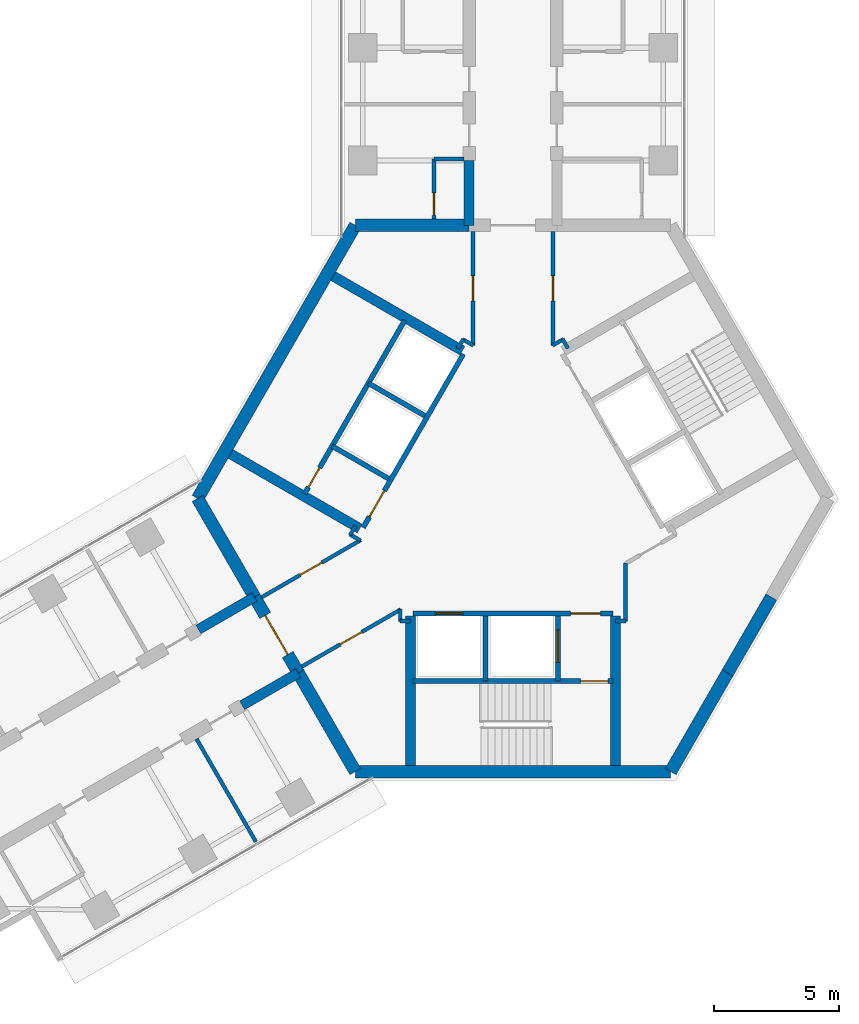
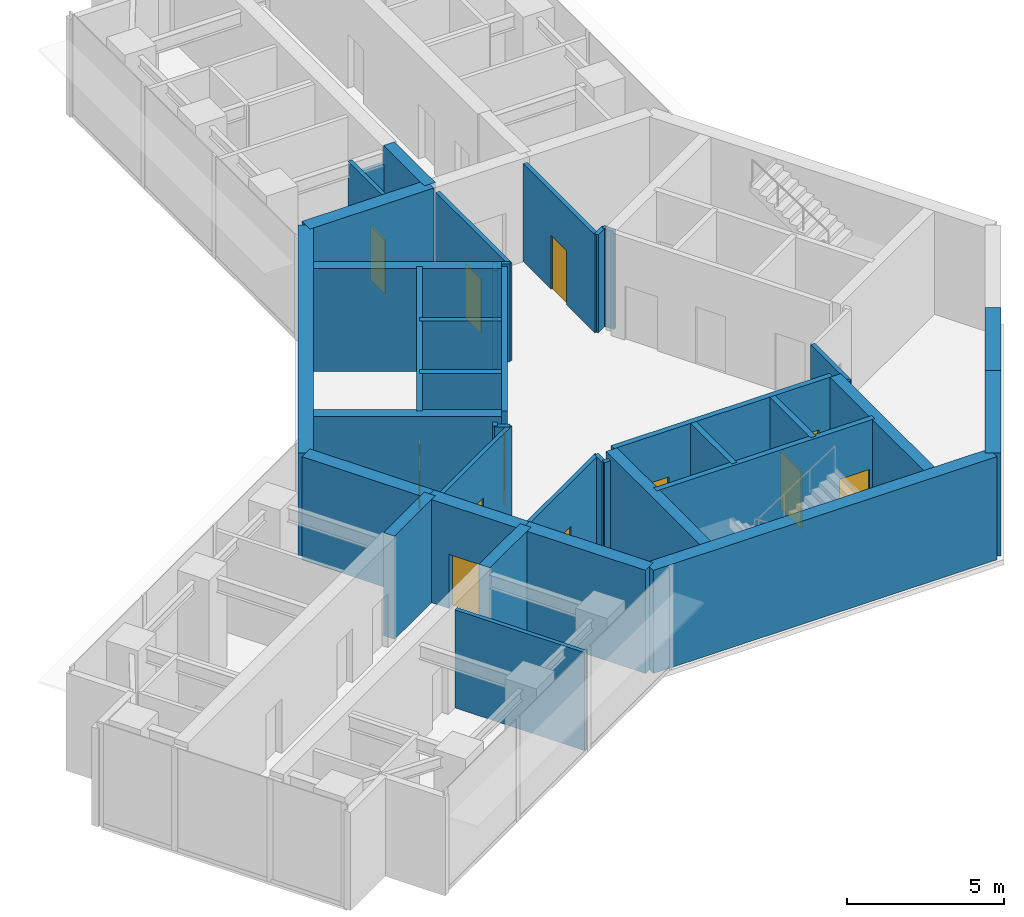
# One storey, part 14 of 17: 40 walls, 12 doors, 12 openings.
"""IFC4 building model written with IfcOpenShell, lengths in metres."""

from ifc_helpers import new_model, si_unit, direction, frame, frame_2d, origin, place, context, subcontext, project, spatial, rectangle, extrude, material, layer, layer_set, type_object, element, fill, save


model = new_model("IFC4")

# Units and contexts
model_context = context("Model", 3, precision=1e-05, world=origin(), true_north=direction((0.0, 1.0)))
body_context = subcontext(model_context, "Body", "Model", "MODEL_VIEW")
ifc_project = project(units=[si_unit("LENGTHUNIT", "METRE"), si_unit("AREAUNIT", "SQUARE_METRE"), si_unit("VOLUMEUNIT", "CUBIC_METRE"), si_unit("PLANEANGLEUNIT", "RADIAN"), si_unit("MASSUNIT", "GRAM", prefix="KILO")], contexts=[model_context])

# Site, building, storey
site_placement = place(None, origin())
site = spatial("IfcSite", under=ifc_project, at=site_placement, CompositionType="ELEMENT")
building_placement = place(site_placement, origin())
building = spatial("IfcBuilding", under=site, at=building_placement, Name="Upepo Twin Towers", CompositionType="ELEMENT")
storey_placement = place(building_placement, frame((0.0, 0.0, 194.5)))
storey = spatial("IfcBuildingStorey", under=building, at=storey_placement, Name="L47", CompositionType="ELEMENT", Elevation=194.5)

# Walls
ifc_material_1 = material(Name="Concrete C60/75", Category="concrete")
ifc_layer_1 = layer(ifc_material_1, 0.39990234375)
ifc_layer_set_1 = layer_set([ifc_layer_1], Name="Concrete C60/75")
wall_type_1 = type_object("IfcWallType", Name="Buttress wall 400 RC", PredefinedType="SHEAR", material=ifc_layer_set_1)
wall_1_placement = place(storey_placement, frame((56.75, -7.091552734375, 0.0), z_axis=(0.0, 0.0, 1.0), x_axis=(0.0, 1.0, 0.0)))
element("IfcWall", 1, at=wall_1_placement, inside=storey, type_object=wall_type_1, Name="T2 wing A buttress wall L", PredefinedType="SHEAR", context=body_context, shape_type="SweptSolid", body=[
    extrude(rectangle(XDim=2.591552734375, YDim=0.39990234375, at=frame_2d((1.2958984375, 0.0))), origin(), (0.0, 0.0, 1.0), 4.0),
])
for number, where, z_axis, x_axis, name in (
    (2, (49.92822265625, -24.9697265625, 0.0), (0.0, 0.0, 1.0), (-0.866031863473, -0.499988811324, 0.0), "T2 wing B buttress wall L"),
    (3, (48.17822265625, -21.938720703125, 0.0), (0.0, 0.0, 1.0), (-0.866072649678, -0.499918158782, 0.0), "T2 wing B buttress wall R"),
):
    element("IfcWall", number, at=place(storey_placement, frame(where, z_axis=z_axis, x_axis=x_axis)), inside=storey, type_object=wall_type_1, Name=name, PredefinedType="SHEAR", context=body_context, shape_type="SweptSolid", body=[
        extrude(rectangle(XDim=2.591796875, YDim=0.39990234375, at=frame_2d((1.2958984375, 0.0))), origin(), (0.0, 0.0, 1.0), 4.0),
    ])
ifc_material_2 = material(Name="Concrete C60/75", Category="concrete")
ifc_layer_2 = layer(ifc_material_2, 0.5)
ifc_layer_set_2 = layer_set([ifc_layer_2], Name="Concrete C60/75")
wall_type_2 = type_object("IfcWallType", Name="Core wall 500 RC", PredefinedType="SHEAR", material=ifc_layer_set_2)
wall_2_placement = place(storey_placement, frame((56.75, -7.091552734375, 0.0), z_axis=(0.0, 0.0, 1.0), x_axis=(-1.0, 0.0, 0.0)))
element("IfcWall", 4, at=wall_2_placement, inside=storey, type_object=wall_type_2, Name="T2 core wall 000 L", PredefinedType="SHEAR", context=body_context, shape_type="SweptSolid", body=[
    extrude(rectangle(XDim=4.5478515625, YDim=0.5, at=frame_2d((2.27392578125, 0.0))), origin(), (0.0, 0.0, 1.0), 4.0),
])
wall_3_placement = place(storey_placement, frame((52.2021484375, -7.091552734375, 0.0), z_axis=(0.0, 0.0, 1.0), x_axis=(-0.500005998175, -0.866021940709, 0.0)))
element("IfcWall", 5, at=wall_3_placement, inside=storey, type_object=wall_type_2, Name="T2 core wall 060", PredefinedType="SHEAR", context=body_context, shape_type="SweptSolid", body=[
    extrude(rectangle(XDim=12.595947265625, YDim=0.5, at=frame_2d((6.2978515625, 0.0))), origin(), (0.0, 0.0, 1.0), 4.0),
])
wall_4_placement = place(storey_placement, frame((45.904052734375, -18.0, 0.0), z_axis=(0.0, 0.0, 1.0), x_axis=(0.500024481964, -0.866011268655, 0.0)))
element("IfcWall", 6, at=wall_4_placement, inside=storey, type_object=wall_type_2, Name="T2 core wall 120 R", PredefinedType="SHEAR", context=body_context, shape_type="SweptSolid", body=[
    extrude(rectangle(XDim=4.548095703125, YDim=0.5, at=frame_2d((2.27392578125, 0.0))), origin(), (0.0, 0.0, 1.0), 4.0),
])

# Wall, opening, door
wall_5_placement = place(storey_placement, frame((48.17822265625, -21.938720703125, 0.0), z_axis=(0.0, 0.0, 1.0), x_axis=(0.500010275428, -0.866019471182, 0.0)))
wall_5 = element("IfcWall", 7, at=wall_5_placement, inside=storey, type_object=wall_type_2, Name="T2 core wall 120", PredefinedType="SHEAR", context=body_context, shape_type="SweptSolid", body=[
    extrude(rectangle(XDim=3.5, YDim=0.5, at=frame_2d((1.75, 0.0))), origin(), (0.0, 0.0, 1.0), 4.0),
])
opening_1_placement = place(wall_5_placement, frame((0.85009765625, 0.0, 0.0)))
opening_1 = element("IfcOpeningElement", 8, at=opening_1_placement, cuts=wall_5, Name="Opening D2", PredefinedType="OPENING", context=body_context, shape_type="SweptSolid", body=[
    extrude(rectangle(XDim=1.800048828125, YDim=2.10009765625, at=frame_2d((0.89990234375, 1.050048828125))), frame((0.0, 0.260009765625, 0.0), z_axis=(0.0, -1.0, 0.0), x_axis=(1.0, 0.0, 0.0)), (0.0, 0.0, 1.0), 0.52001953125),
])
ifc_material_3 = material(Name="Timber doorset", Category="wood")
door_type_1 = type_object("IfcDoorType", Name="Corridor double door 1800 FD60", OperationType="DOUBLE_DOOR_DOUBLE_SWING", PredefinedType="DOOR", material=ifc_material_3)
door_1_placement = place(opening_1_placement, origin())
door_1 = element("IfcDoor", 9, at=door_1_placement, inside=storey, type_object=door_type_1, Name="T2 L47 wing B corridor door", OperationType="DOUBLE_DOOR_DOUBLE_SWING", OverallHeight=2.10009765625, OverallWidth=1.800048828125, PredefinedType="DOOR", context=body_context, shape_type="SweptSolid", body=[
    extrude(rectangle(XDim=1.800048828125, YDim=2.10009765625, at=frame_2d((0.89990234375, 1.050048828125))), frame((0.0, 0.02490234375, 0.0), z_axis=(0.0, -1.0, 0.0), x_axis=(1.0, 0.0, 0.0)), (0.0, 0.0, 1.0), 0.050048828125),
])
fill(opening_1, door_1)

# Walls
wall_6_placement = place(storey_placement, frame((49.92822265625, -24.9697265625, 0.0), z_axis=(0.0, 0.0, 1.0), x_axis=(0.499984222037, -0.866034513004, 0.0)))
element("IfcWall", 10, at=wall_6_placement, inside=storey, type_object=wall_type_2, Name="T2 core wall 120 L", PredefinedType="SHEAR", context=body_context, shape_type="SweptSolid", body=[
    extrude(rectangle(XDim=4.548095703125, YDim=0.5, at=frame_2d((2.27392578125, 0.0))), origin(), (0.0, 0.0, 1.0), 4.0),
])
wall_7_placement = place(storey_placement, frame((52.2021484375, -28.908447265625, 0.0), z_axis=(0.0, 0.0, 1.0), x_axis=(1.0, 0.0, 0.0)))
element("IfcWall", 11, at=wall_7_placement, inside=storey, type_object=wall_type_2, Name="T2 core wall 180", PredefinedType="SHEAR", context=body_context, shape_type="SweptSolid", body=[
    extrude(rectangle(XDim=12.595703125, YDim=0.5, at=frame_2d((6.2978515625, 0.0))), origin(), (0.0, 0.0, 1.0), 4.0),
])
wall_8_placement = place(storey_placement, frame((64.7978515625, -28.908447265625, 0.0), z_axis=(0.0, 0.0, 1.0), x_axis=(0.499984222037, 0.866034513004, 0.0)))
element("IfcWall", 12, at=wall_8_placement, inside=storey, type_object=wall_type_2, Name="T2 core wall 240 R", PredefinedType="SHEAR", context=body_context, shape_type="SweptSolid", body=[
    extrude(rectangle(XDim=4.548095703125, YDim=0.5, at=frame_2d((2.27392578125, 0.0))), origin(), (0.0, 0.0, 1.0), 4.0),
])
wall_9_placement = place(storey_placement, frame((67.07177734375, -24.9697265625, 0.0), z_axis=(0.0, 0.0, 1.0), x_axis=(0.500010275428, 0.866019471182, 0.0)))
element("IfcWall", 13, at=wall_9_placement, inside=storey, type_object=wall_type_2, Name="T2 core wall 240", PredefinedType="SHEAR", context=body_context, shape_type="SweptSolid", body=[
    extrude(rectangle(XDim=3.5, YDim=0.5, at=frame_2d((1.75, 0.0))), origin(), (0.0, 0.0, 1.0), 4.0),
])

# Wall, opening, door
ifc_material_4 = material(Name="Concrete C40/50", Category="concrete")
ifc_layer_3 = layer(ifc_material_4, 0.199951171875)
ifc_layer_set_3 = layer_set([ifc_layer_3], Name="Concrete C40/50")
wall_type_3 = type_object("IfcWallType", Name="Shaft wall 200 RC", PredefinedType="SHEAR", material=ifc_layer_set_3)
wall_10_placement = place(storey_placement, frame((56.516357421875, -12.23583984375, 0.0), z_axis=(0.0, 0.0, 1.0), x_axis=(-0.49999894854, -0.866026010844, 0.0)))
wall_10 = element("IfcWall", 14, at=wall_10_placement, inside=storey, type_object=wall_type_3, Name="T2 core W60 front wall", PredefinedType="SHEAR", context=body_context, shape_type="SweptSolid", body=[
    extrude(rectangle(XDim=8.0, YDim=0.199951171875, at=frame_2d((4.0, 0.0))), origin(), (0.0, 0.0, 1.0), 4.0),
])
opening_2_placement = place(wall_10_placement, frame((6.300048828125, 0.0, 0.0)))
opening_2 = element("IfcOpeningElement", 15, at=opening_2_placement, cuts=wall_10, Name="Opening D4", PredefinedType="OPENING", context=body_context, shape_type="SweptSolid", body=[
    extrude(rectangle(XDim=1.199951171875, YDim=2.10009765625, at=frame_2d((0.60009765625, 1.050048828125))), frame((0.0, 0.10986328125, 0.0), z_axis=(0.0, -1.0, 0.0), x_axis=(1.0, 0.0, 0.0)), (0.0, 0.0, 1.0), 0.219970703125),
])
ifc_material_5 = material(Name="Timber doorset", Category="wood")
door_type_2 = type_object("IfcDoorType", Name="Lobby door 1200 FD60", OperationType="SINGLE_SWING_LEFT", PredefinedType="DOOR", material=ifc_material_5)
door_2_placement = place(opening_2_placement, origin())
door_2 = element("IfcDoor", 16, at=door_2_placement, inside=storey, type_object=door_type_2, Name="T2 L47 W60 lobby door", OperationType="SINGLE_SWING_RIGHT", OverallHeight=2.10009765625, OverallWidth=1.199951171875, PredefinedType="DOOR", context=body_context, shape_type="SweptSolid", body=[
    extrude(rectangle(XDim=1.199951171875, YDim=2.10009765625, at=frame_2d((0.60009765625, 1.050048828125))), frame((0.0, 0.02490234375, 0.0), z_axis=(0.0, -1.0, 0.0), x_axis=(1.0, 0.0, 0.0)), (0.0, 0.0, 1.0), 0.050048828125),
])
fill(opening_2, door_2)

# Walls
for number, where, z_axis, x_axis, name in (
    (17, (54.979736328125, -14.697265625, 0.0), (0.0, 0.0, 1.0), (-0.866062058628, 0.499936506574, 0.0), "T2 core W60 shaft divider"),
    (18, (53.52978515625, -17.208740234375, 0.0), (0.0, 0.0, 1.0), (-0.866062058628, 0.499936506574, 0.0), "T2 core W60 lobby wall"),
):
    element("IfcWall", number, at=place(storey_placement, frame(where, z_axis=z_axis, x_axis=x_axis)), inside=storey, type_object=wall_type_3, Name=name, PredefinedType="SHEAR", context=body_context, shape_type="SweptSolid", body=[
        extrude(rectangle(XDim=2.599853515625, YDim=0.199951171875, at=frame_2d((1.2998046875, 0.0))), origin(), (0.0, 0.0, 1.0), 4.0),
    ])

# Wall, opening, door
wall_11_placement = place(storey_placement, frame((54.177978515625, -10.885986328125, 0.0), z_axis=(0.0, 0.0, 1.0), x_axis=(-0.49999894854, -0.866026010844, 0.0)))
wall_11 = element("IfcWall", 19, at=wall_11_placement, inside=storey, type_object=wall_type_3, Name="T2 core W60 stair wall", PredefinedType="SHEAR", context=body_context, shape_type="SweptSolid", body=[
    extrude(rectangle(XDim=8.0, YDim=0.199951171875, at=frame_2d((4.0, 0.0))), origin(), (0.0, 0.0, 1.0), 4.0),
])
opening_3_placement = place(wall_11_placement, frame((6.800048828125, 0.0, 0.0)))
opening_3 = element("IfcOpeningElement", 20, at=opening_3_placement, cuts=wall_11, Name="Opening D9", PredefinedType="OPENING", context=body_context, shape_type="SweptSolid", body=[
    extrude(rectangle(XDim=0.89990234375, YDim=2.10009765625, at=frame_2d((0.449951171875, 1.050048828125))), frame((0.0, 0.10986328125, 0.0), z_axis=(0.0, -1.0, 0.0), x_axis=(1.0, 0.0, 0.0)), (0.0, 0.0, 1.0), 0.219970703125),
])
ifc_material_6 = material(Name="Timber doorset", Category="wood")
door_type_3 = type_object("IfcDoorType", Name="Riser door 900 FD60", OperationType="SINGLE_SWING_LEFT", PredefinedType="DOOR", material=ifc_material_6)
door_3_placement = place(opening_3_placement, origin())
door_3 = element("IfcDoor", 21, at=door_3_placement, inside=storey, type_object=door_type_3, Name="T2 L47 riser door", OperationType="SINGLE_SWING_RIGHT", OverallHeight=2.10009765625, OverallWidth=0.89990234375, PredefinedType="DOOR", context=body_context, shape_type="SweptSolid", body=[
    extrude(rectangle(XDim=0.89990234375, YDim=2.10009765625, at=frame_2d((0.449951171875, 1.050048828125))), frame((0.0, 0.02490234375, 0.0), z_axis=(0.0, -1.0, 0.0), x_axis=(1.0, 0.0, 0.0)), (0.0, 0.0, 1.0), 0.050048828125),
])
fill(opening_3, door_3)

# Wall, openings, doors
wall_12_placement = place(storey_placement, frame((54.5, -22.60009765625, 0.0), z_axis=(0.0, 0.0, 1.0), x_axis=(1.0, 0.0, 0.0)))
wall_12 = element("IfcWall", 22, at=wall_12_placement, inside=storey, type_object=wall_type_3, Name="T2 core W180 front wall", PredefinedType="SHEAR", context=body_context, shape_type="SweptSolid", body=[
    extrude(rectangle(XDim=8.0, YDim=0.199951171875, at=frame_2d((4.0, 0.0))), origin(), (0.0, 0.0, 1.0), 4.0),
])
opening_4_placement = place(wall_12_placement, frame((6.300048828125, 0.0, 0.0)))
opening_4 = element("IfcOpeningElement", 23, at=opening_4_placement, cuts=wall_12, Name="Opening D4", PredefinedType="OPENING", context=body_context, shape_type="SweptSolid", body=[
    extrude(rectangle(XDim=1.199951171875, YDim=2.10009765625, at=frame_2d((0.60009765625, 1.050048828125))), frame((0.0, 0.10986328125, 0.0), z_axis=(0.0, -1.0, 0.0), x_axis=(1.0, 0.0, 0.0)), (0.0, 0.0, 1.0), 0.219970703125),
])
opening_5_placement = place(wall_12_placement, frame((0.89990234375, 0.0, 0.0)))
opening_5 = element("IfcOpeningElement", 24, at=opening_5_placement, cuts=wall_12, Name="Opening LD1", PredefinedType="OPENING", context=body_context, shape_type="SweptSolid", body=[
    extrude(rectangle(XDim=1.10009765625, YDim=2.199951171875, at=frame_2d((0.550048828125, 1.10009765625))), frame((0.0, 0.10986328125, 0.0), z_axis=(0.0, -1.0, 0.0), x_axis=(1.0, 0.0, 0.0)), (0.0, 0.0, 1.0), 0.219970703125),
])
ifc_material_7 = material(Name="Steel doorset", Category="steel")
door_type_4 = type_object("IfcDoorType", Name="Lift landing door 1100", OperationType="DOUBLE_DOOR_SLIDING", PredefinedType="DOOR", material=ifc_material_7)
door_4_placement = place(opening_5_placement, origin())
door_4 = element("IfcDoor", 25, at=door_4_placement, inside=storey, type_object=door_type_4, Name="T2 L47 lift SV1 landing door", OperationType="DOUBLE_DOOR_SLIDING", OverallHeight=2.199951171875, OverallWidth=1.10009765625, PredefinedType="DOOR", context=body_context, shape_type="SweptSolid", body=[
    extrude(rectangle(XDim=1.10009765625, YDim=2.199951171875, at=frame_2d((0.550048828125, 1.10009765625))), frame((0.0, 0.02490234375, 0.0), z_axis=(0.0, -1.0, 0.0), x_axis=(1.0, 0.0, 0.0)), (0.0, 0.0, 1.0), 0.050048828125),
])
fill(opening_5, door_4)
door_5_placement = place(opening_4_placement, origin())
door_5 = element("IfcDoor", 26, at=door_5_placement, inside=storey, type_object=door_type_2, Name="T2 L47 W180 lobby door", OperationType="SINGLE_SWING_RIGHT", OverallHeight=2.10009765625, OverallWidth=1.199951171875, PredefinedType="DOOR", context=body_context, shape_type="SweptSolid", body=[
    extrude(rectangle(XDim=1.199951171875, YDim=2.10009765625, at=frame_2d((0.60009765625, 1.050048828125))), frame((0.0, 0.02490234375, 0.0), z_axis=(0.0, -1.0, 0.0), x_axis=(1.0, 0.0, 0.0)), (0.0, 0.0, 1.0), 0.050048828125),
])
fill(opening_4, door_5)

# Wall
wall_13_placement = place(storey_placement, frame((57.39990234375, -22.699951171875, 0.0), z_axis=(0.0, 0.0, 1.0), x_axis=(0.0, -1.0, 0.0)))
element("IfcWall", 27, at=wall_13_placement, inside=storey, type_object=wall_type_3, Name="T2 core W180 shaft divider", PredefinedType="SHEAR", context=body_context, shape_type="SweptSolid", body=[
    extrude(rectangle(XDim=2.60009765625, YDim=0.199951171875, at=frame_2d((1.300048828125, 0.0))), origin(), (0.0, 0.0, 1.0), 4.0),
])

# Wall, opening, door
wall_14_placement = place(storey_placement, frame((60.300048828125, -22.699951171875, 0.0), z_axis=(0.0, 0.0, 1.0), x_axis=(0.0, -1.0, 0.0)))
wall_14 = element("IfcWall", 28, at=wall_14_placement, inside=storey, type_object=wall_type_3, Name="T2 core W180 lobby wall", PredefinedType="SHEAR", context=body_context, shape_type="SweptSolid", body=[
    extrude(rectangle(XDim=2.60009765625, YDim=0.199951171875, at=frame_2d((1.300048828125, 0.0))), origin(), (0.0, 0.0, 1.0), 4.0),
])
opening_6_placement = place(wall_14_placement, frame((0.550048828125, 0.0, 0.0)))
opening_6 = element("IfcOpeningElement", 29, at=opening_6_placement, cuts=wall_14, Name="Opening LD2", PredefinedType="OPENING", context=body_context, shape_type="SweptSolid", body=[
    extrude(rectangle(XDim=1.300048828125, YDim=2.199951171875, at=frame_2d((0.64990234375, 1.10009765625))), frame((0.0, 0.10986328125, 0.0), z_axis=(0.0, -1.0, 0.0), x_axis=(1.0, 0.0, 0.0)), (0.0, 0.0, 1.0), 0.219970703125),
])
ifc_material_8 = material(Name="Steel doorset", Category="steel")
door_type_5 = type_object("IfcDoorType", Name="Firefighting lift landing door 1300", OperationType="DOUBLE_DOOR_SLIDING", PredefinedType="DOOR", material=ifc_material_8)
door_6_placement = place(opening_6_placement, origin())
door_6 = element("IfcDoor", 30, at=door_6_placement, inside=storey, type_object=door_type_5, Name="T2 L47 firefighting lift landing door", OperationType="DOUBLE_DOOR_SLIDING", OverallHeight=2.199951171875, OverallWidth=1.300048828125, PredefinedType="DOOR", context=body_context, shape_type="SweptSolid", body=[
    extrude(rectangle(XDim=1.300048828125, YDim=2.199951171875, at=frame_2d((0.64990234375, 1.10009765625))), frame((0.0, 0.02490234375, 0.0), z_axis=(0.0, -1.0, 0.0), x_axis=(1.0, 0.0, 0.0)), (0.0, 0.0, 1.0), 0.050048828125),
])
fill(opening_6, door_6)

wall_15_placement = place(storey_placement, frame((54.5, -25.300048828125, 0.0), z_axis=(0.0, 0.0, 1.0), x_axis=(1.0, 0.0, 0.0)))
wall_15 = element("IfcWall", 31, at=wall_15_placement, inside=storey, type_object=wall_type_3, Name="T2 core W180 stair wall", PredefinedType="SHEAR", context=body_context, shape_type="SweptSolid", body=[
    extrude(rectangle(XDim=8.0, YDim=0.199951171875, at=frame_2d((4.0, 0.0))), origin(), (0.0, 0.0, 1.0), 4.0),
])
opening_7_placement = place(wall_15_placement, frame((6.699951171875, 0.0, 0.0)))
opening_7 = element("IfcOpeningElement", 32, at=opening_7_placement, cuts=wall_15, Name="Opening D3", PredefinedType="OPENING", context=body_context, shape_type="SweptSolid", body=[
    extrude(rectangle(XDim=1.10009765625, YDim=2.10009765625, at=frame_2d((0.550048828125, 1.050048828125))), frame((0.0, 0.10986328125, 0.0), z_axis=(0.0, -1.0, 0.0), x_axis=(1.0, 0.0, 0.0)), (0.0, 0.0, 1.0), 0.219970703125),
])
ifc_material_9 = material(Name="Timber doorset", Category="wood")
door_type_6 = type_object("IfcDoorType", Name="Stair door 1100 FD60", OperationType="SINGLE_SWING_LEFT", PredefinedType="DOOR", material=ifc_material_9)
door_7_placement = place(opening_7_placement, origin())
door_7 = element("IfcDoor", 33, at=door_7_placement, inside=storey, type_object=door_type_6, Name="T2 L47 stair door", OperationType="SINGLE_SWING_RIGHT", OverallHeight=2.10009765625, OverallWidth=1.10009765625, PredefinedType="DOOR", context=body_context, shape_type="SweptSolid", body=[
    extrude(rectangle(XDim=1.10009765625, YDim=2.10009765625, at=frame_2d((0.550048828125, 1.050048828125))), frame((0.0, 0.02490234375, 0.0), z_axis=(0.0, -1.0, 0.0), x_axis=(1.0, 0.0, 0.0)), (0.0, 0.0, 1.0), 0.050048828125),
])
fill(opening_7, door_7)

# Walls
ifc_material_10 = material(Name="Concrete C40/50", Category="concrete")
ifc_layer_4 = layer(ifc_material_10, 0.39990234375)
ifc_layer_set_4 = layer_set([ifc_layer_4], Name="Concrete C40/50")
wall_type_4 = type_object("IfcWallType", Name="Shaft wall 400 RC", PredefinedType="SHEAR", material=ifc_layer_set_4)
wall_16_placement = place(storey_placement, frame((52.379638671875, -19.20068359375, 0.0), z_axis=(0.0, 0.0, 1.0), x_axis=(-0.866012946976, 0.500021575205, 0.0)))
element("IfcWall", 34, at=wall_16_placement, inside=storey, type_object=wall_type_4, Name="T2 core W60 side wall N", PredefinedType="SHEAR", context=body_context, shape_type="SweptSolid", body=[
    extrude(rectangle(XDim=5.958251953125, YDim=0.39990234375, at=frame_2d((2.97900390625, 0.0))), origin(), (0.0, 0.0, 1.0), 4.0),
])
for number, where, z_axis, x_axis, name in (
    (35, (56.479736328125, -12.099365234375, 0.0), (0.0, 0.0, 1.0), (-0.86602319114, 0.500003832394, 0.0), "T2 core W60 side wall S"),
    (36, (62.60009765625, -22.699951171875, 0.0), (0.0, 0.0, 1.0), (0.0, -1.0, 0.0), "T2 core W180 side wall N"),
    (37, (54.39990234375, -22.699951171875, 0.0), (0.0, 0.0, 1.0), (0.0, -1.0, 0.0), "T2 core W180 side wall S"),
):
    element("IfcWall", number, at=place(storey_placement, frame(where, z_axis=z_axis, x_axis=x_axis)), inside=storey, type_object=wall_type_4, Name=name, PredefinedType="SHEAR", context=body_context, shape_type="SweptSolid", body=[
        extrude(rectangle(XDim=5.95849609375, YDim=0.39990234375, at=frame_2d((2.979248046875, 0.0))), origin(), (0.0, 0.0, 1.0), 4.0),
    ])

# Wall, opening, door
ifc_material_11 = material(Name="Gypsum board on steel studs", Category="steel")
ifc_layer_5 = layer(ifc_material_11, 0.14990234375)
ifc_layer_set_5 = layer_set([ifc_layer_5], Name="Teaching partition 150 acoustic")
wall_type_5 = type_object("IfcWallType", Name="Teaching partition 150 acoustic", PredefinedType="PARTITIONING", material=ifc_layer_set_5)
wall_17_placement = place(storey_placement, frame((55.35009765625, -6.842041015625, 0.0), z_axis=(0.0, 0.0, 1.0), x_axis=(0.0, 1.0, 0.0)))
wall_17 = element("IfcWall", 38, at=wall_17_placement, inside=storey, type_object=wall_type_5, Name="T2 WC bay partition AL at 11.16", PredefinedType="PARTITIONING", context=body_context, shape_type="SweptSolid", body=[
    extrude(rectangle(XDim=2.400146484375, YDim=0.14990234375, at=frame_2d((1.2001953125, 0.0))), origin(), (0.0, 0.0, 1.0), 3.800048828125),
])
opening_8_placement = place(wall_17_placement, frame((0.14990234375, 0.0, 0.0)))
opening_8 = element("IfcOpeningElement", 39, at=opening_8_placement, cuts=wall_17, Name="Opening D14", PredefinedType="OPENING", context=body_context, shape_type="SweptSolid", body=[
    extrude(rectangle(XDim=0.89990234375, YDim=2.10009765625, at=frame_2d((0.449951171875, 1.050048828125))), frame((0.0, 0.0849609375, 0.0), z_axis=(0.0, -1.0, 0.0), x_axis=(1.0, 0.0, 0.0)), (0.0, 0.0, 1.0), 0.169921875),
])
ifc_material_12 = material(Name="Timber doorset", Category="wood")
door_type_7 = type_object("IfcDoorType", Name="Office door 900 FD30", OperationType="SINGLE_SWING_LEFT", PredefinedType="DOOR", material=ifc_material_12)
door_8_placement = place(opening_8_placement, origin())
door_8 = element("IfcDoor", 40, at=door_8_placement, inside=storey, type_object=door_type_7, Name="T2 L47 WC bay inner room door", OperationType="SINGLE_SWING_LEFT", OverallHeight=2.10009765625, OverallWidth=0.89990234375, PredefinedType="DOOR", context=body_context, shape_type="SweptSolid", body=[
    extrude(rectangle(XDim=0.89990234375, YDim=2.10009765625, at=frame_2d((0.449951171875, 1.050048828125))), frame((0.0, 0.02490234375, 0.0), z_axis=(0.0, -1.0, 0.0), x_axis=(1.0, 0.0, 0.0)), (0.0, 0.0, 1.0), 0.050048828125),
])
fill(opening_8, door_8)

# Walls
wall_18_placement = place(storey_placement, frame((56.550048828125, -4.44189453125, 0.0), z_axis=(0.0, 0.0, 1.0), x_axis=(-1.0, 0.0, 0.0)))
element("IfcWall", 41, at=wall_18_placement, inside=storey, type_object=wall_type_5, Name="T2 WC bay partition AL end at 13.56", PredefinedType="PARTITIONING", context=body_context, shape_type="SweptSolid", body=[
    extrude(rectangle(XDim=1.199951171875, YDim=0.14990234375, at=frame_2d((0.60009765625, 0.0))), origin(), (0.0, 0.0, 1.0), 3.266845703125),
])
wall_19_placement = place(storey_placement, frame((45.860107421875, -27.60693359375, 0.0), z_axis=(0.0, 0.0, 1.0), x_axis=(0.499986429846, -0.866033238375, 0.0)))
element("IfcWall", 42, at=wall_19_placement, inside=storey, type_object=wall_type_5, Name="T2 partition BL at 15.75", PredefinedType="PARTITIONING", context=body_context, shape_type="SweptSolid", body=[
    extrude(rectangle(XDim=4.750244140625, YDim=0.14990234375, at=frame_2d((2.375, 0.0))), origin(), (0.0, 0.0, 1.0), 3.800048828125),
])
for number, where, z_axis, x_axis, name in (
    (43, (63.02001953125, -22.89990234375, 0.0), (0.0, 0.0, 1.0), (-1.0, 0.0, 0.0), "T2 core room partition 1"),
    (44, (54.409912109375, -22.89990234375, 0.0), (0.0, 0.0, 1.0), (-1.0, 0.0, 0.0), "T2 core room partition 2"),
):
    element("IfcWall", number, at=place(storey_placement, frame(where, z_axis=z_axis, x_axis=x_axis)), inside=storey, type_object=wall_type_5, Name=name, PredefinedType="PARTITIONING", context=body_context, shape_type="SweptSolid", body=[
        extrude(rectangle(XDim=0.429931640625, YDim=0.14990234375, at=frame_2d((0.21484375, 0.0))), origin(), (0.0, 0.0, 1.0), 3.800048828125),
    ])
wall_20_placement = place(storey_placement, frame((54.0, -22.919921875, 0.0), z_axis=(0.0, 0.0, 1.0), x_axis=(0.0, 1.0, 0.0)))
element("IfcWall", 45, at=wall_20_placement, inside=storey, type_object=wall_type_5, Name="T2 core room partition 3", PredefinedType="PARTITIONING", context=body_context, shape_type="SweptSolid", body=[
    extrude(rectangle(XDim=0.494384765625, YDim=0.14990234375, at=frame_2d((0.2470703125, 0.0))), origin(), (0.0, 0.0, 1.0), 3.800048828125),
])

# Wall, opening, door
wall_21_placement = place(storey_placement, frame((54.017333984375, -22.435546875, 0.0), z_axis=(0.0, 0.0, 1.0), x_axis=(-0.866024503882, -0.500001558674, 0.0)))
wall_21 = element("IfcWall", 46, at=wall_21_placement, inside=storey, type_object=wall_type_5, Name="T2 core room partition 4", PredefinedType="PARTITIONING", context=body_context, shape_type="SweptSolid", body=[
    extrude(rectangle(XDim=4.568359375, YDim=0.14990234375, at=frame_2d((2.2841796875, 0.0))), origin(), (0.0, 0.0, 1.0), 3.800048828125),
])
opening_9_placement = place(wall_21_placement, frame((1.794189453125, 0.0, 0.0)))
opening_9 = element("IfcOpeningElement", 47, at=opening_9_placement, cuts=wall_21, Name="Opening D1", PredefinedType="OPENING", context=body_context, shape_type="SweptSolid", body=[
    extrude(rectangle(XDim=1.0, YDim=2.10009765625, at=frame_2d((0.5, 1.050048828125))), frame((0.0, 0.0849609375, 0.0), z_axis=(0.0, -1.0, 0.0), x_axis=(1.0, 0.0, 0.0)), (0.0, 0.0, 1.0), 0.169921875),
])
ifc_material_13 = material(Name="Timber doorset", Category="wood")
door_type_8 = type_object("IfcDoorType", Name="Room door 1000 FD30", OperationType="SINGLE_SWING_LEFT", PredefinedType="DOOR", material=ifc_material_13)
door_9_placement = place(opening_9_placement, origin())
door_9 = element("IfcDoor", 48, at=door_9_placement, inside=storey, type_object=door_type_8, Name="T2 L47 core room door K2", OperationType="SINGLE_SWING_RIGHT", OverallHeight=2.10009765625, OverallWidth=1.0, PredefinedType="DOOR", context=body_context, shape_type="SweptSolid", body=[
    extrude(rectangle(XDim=1.0, YDim=2.10009765625, at=frame_2d((0.5, 1.050048828125))), frame((0.0, 0.02490234375, 0.0), z_axis=(0.0, -1.0, 0.0), x_axis=(1.0, 0.0, 0.0)), (0.0, 0.0, 1.0), 0.050048828125),
])
fill(opening_9, door_9)

wall_22_placement = place(storey_placement, frame((48.4609375, -21.948486328125, 0.0), z_axis=(0.0, 0.0, 1.0), x_axis=(0.866024503882, 0.500001558674, 0.0)))
wall_22 = element("IfcWall", 49, at=wall_22_placement, inside=storey, type_object=wall_type_5, Name="T2 core room partition 5", PredefinedType="PARTITIONING", context=body_context, shape_type="SweptSolid", body=[
    extrude(rectangle(XDim=4.568359375, YDim=0.14990234375, at=frame_2d((2.2841796875, 0.0))), origin(), (0.0, 0.0, 1.0), 3.800048828125),
])
opening_10_placement = place(wall_22_placement, frame((1.774169921875, 0.0, 0.0)))
opening_10 = element("IfcOpeningElement", 50, at=opening_10_placement, cuts=wall_22, Name="Opening D1", PredefinedType="OPENING", context=body_context, shape_type="SweptSolid", body=[
    extrude(rectangle(XDim=1.0, YDim=2.10009765625, at=frame_2d((0.5, 1.050048828125))), frame((0.0, 0.0849609375, 0.0), z_axis=(0.0, -1.0, 0.0), x_axis=(1.0, 0.0, 0.0)), (0.0, 0.0, 1.0), 0.169921875),
])
door_10_placement = place(opening_10_placement, origin())
door_10 = element("IfcDoor", 51, at=door_10_placement, inside=storey, type_object=door_type_8, Name="T2 L47 core room door K1", OperationType="SINGLE_SWING_LEFT", OverallHeight=2.10009765625, OverallWidth=1.0, PredefinedType="DOOR", context=body_context, shape_type="SweptSolid", body=[
    extrude(rectangle(XDim=1.0, YDim=2.10009765625, at=frame_2d((0.5, 1.050048828125))), frame((0.0, 0.02490234375, 0.0), z_axis=(0.0, -1.0, 0.0), x_axis=(1.0, 0.0, 0.0)), (0.0, 0.0, 1.0), 0.050048828125),
])
fill(opening_10, door_10)

# Walls
wall_23_placement = place(storey_placement, frame((52.417236328125, -19.684326171875, 0.0), z_axis=(0.0, 0.0, 1.0), x_axis=(-0.865831790172, 0.50033519877, 0.0)))
element("IfcWall", 52, at=wall_23_placement, inside=storey, type_object=wall_type_5, Name="T2 core room partition 6", PredefinedType="PARTITIONING", context=body_context, shape_type="SweptSolid", body=[
    extrude(rectangle(XDim=0.494384765625, YDim=0.14990234375, at=frame_2d((0.2470703125, 0.0))), origin(), (0.0, 0.0, 1.0), 3.800048828125),
])
for number, where, z_axis, x_axis, name in (
    (53, (51.99658203125, -19.46435546875, 0.0), (0.0, 0.0, 1.0), (0.499804398801, 0.866138304741, 0.0), "T2 core room partition 7"),
    (54, (56.301513671875, -12.0078125, 0.0), (0.0, 0.0, 1.0), (0.500230298122, 0.865892400268, 0.0), "T2 core room partition 8"),
):
    element("IfcWall", number, at=place(storey_placement, frame(where, z_axis=z_axis, x_axis=x_axis)), inside=storey, type_object=wall_type_5, Name=name, PredefinedType="PARTITIONING", context=body_context, shape_type="SweptSolid", body=[
        extrude(rectangle(XDim=0.429931640625, YDim=0.14990234375, at=frame_2d((0.21484375, 0.0))), origin(), (0.0, 0.0, 1.0), 3.800048828125),
    ])
wall_24_placement = place(storey_placement, frame((56.4892578125, -11.642822265625, 0.0), z_axis=(0.0, 0.0, 1.0), x_axis=(0.865831790172, -0.50033519877, 0.0)))
element("IfcWall", 55, at=wall_24_placement, inside=storey, type_object=wall_type_5, Name="T2 core room partition 9", PredefinedType="PARTITIONING", context=body_context, shape_type="SweptSolid", body=[
    extrude(rectangle(XDim=0.494384765625, YDim=0.14990234375, at=frame_2d((0.2470703125, 0.0))), origin(), (0.0, 0.0, 1.0), 3.800048828125),
])

# Wall, opening, door
wall_25_placement = place(storey_placement, frame((56.89990234375, -11.900146484375, 0.0), z_axis=(0.0, 0.0, 1.0), x_axis=(0.0, 1.0, 0.0)))
wall_25 = element("IfcWall", 56, at=wall_25_placement, inside=storey, type_object=wall_type_5, Name="T2 core room partition 10", PredefinedType="PARTITIONING", context=body_context, shape_type="SweptSolid", body=[
    extrude(rectangle(XDim=4.568359375, YDim=0.14990234375, at=frame_2d((2.2841796875, 0.0))), origin(), (0.0, 0.0, 1.0), 3.800048828125),
])
opening_11_placement = place(wall_25_placement, frame((1.79443359375, 0.0, 0.0)))
opening_11 = element("IfcOpeningElement", 57, at=opening_11_placement, cuts=wall_25, Name="Opening D1", PredefinedType="OPENING", context=body_context, shape_type="SweptSolid", body=[
    extrude(rectangle(XDim=1.0, YDim=2.10009765625, at=frame_2d((0.5, 1.050048828125))), frame((0.0, 0.0849609375, 0.0), z_axis=(0.0, -1.0, 0.0), x_axis=(1.0, 0.0, 0.0)), (0.0, 0.0, 1.0), 0.169921875),
])
door_11_placement = place(opening_11_placement, origin())
door_11 = element("IfcDoor", 58, at=door_11_placement, inside=storey, type_object=door_type_8, Name="T2 L47 core room door K5", OperationType="SINGLE_SWING_RIGHT", OverallHeight=2.10009765625, OverallWidth=1.0, PredefinedType="DOOR", context=body_context, shape_type="SweptSolid", body=[
    extrude(rectangle(XDim=1.0, YDim=2.10009765625, at=frame_2d((0.5, 1.050048828125))), frame((0.0, 0.02490234375, 0.0), z_axis=(0.0, -1.0, 0.0), x_axis=(1.0, 0.0, 0.0)), (0.0, 0.0, 1.0), 0.050048828125),
])
fill(opening_11, door_11)

wall_26_placement = place(storey_placement, frame((60.10009765625, -7.331787109375, 0.0), z_axis=(0.0, 0.0, 1.0), x_axis=(0.0, -1.0, 0.0)))
wall_26 = element("IfcWall", 59, at=wall_26_placement, inside=storey, type_object=wall_type_5, Name="T2 core room partition 11", PredefinedType="PARTITIONING", context=body_context, shape_type="SweptSolid", body=[
    extrude(rectangle(XDim=4.568359375, YDim=0.14990234375, at=frame_2d((2.2841796875, 0.0))), origin(), (0.0, 0.0, 1.0), 3.800048828125),
])
opening_12_placement = place(wall_26_placement, frame((1.774169921875, 0.0, 0.0)))
opening_12 = element("IfcOpeningElement", 60, at=opening_12_placement, cuts=wall_26, Name="Opening D1", PredefinedType="OPENING", context=body_context, shape_type="SweptSolid", body=[
    extrude(rectangle(XDim=1.0, YDim=2.10009765625, at=frame_2d((0.5, 1.050048828125))), frame((0.0, 0.0849609375, 0.0), z_axis=(0.0, -1.0, 0.0), x_axis=(1.0, 0.0, 0.0)), (0.0, 0.0, 1.0), 0.169921875),
])
door_12_placement = place(opening_12_placement, origin())
door_12 = element("IfcDoor", 61, at=door_12_placement, inside=storey, type_object=door_type_8, Name="T2 L47 core room door K4", OperationType="SINGLE_SWING_LEFT", OverallHeight=2.10009765625, OverallWidth=1.0, PredefinedType="DOOR", context=body_context, shape_type="SweptSolid", body=[
    extrude(rectangle(XDim=1.0, YDim=2.10009765625, at=frame_2d((0.5, 1.050048828125))), frame((0.0, 0.02490234375, 0.0), z_axis=(0.0, -1.0, 0.0), x_axis=(1.0, 0.0, 0.0)), (0.0, 0.0, 1.0), 0.050048828125),
])
fill(opening_12, door_12)

# Walls
wall_27_placement = place(storey_placement, frame((60.082763671875, -11.89013671875, 0.0), z_axis=(0.0, 0.0, 1.0), x_axis=(0.865831790172, 0.50033519877, 0.0)))
element("IfcWall", 62, at=wall_27_placement, inside=storey, type_object=wall_type_5, Name="T2 core room partition 12", PredefinedType="PARTITIONING", context=body_context, shape_type="SweptSolid", body=[
    extrude(rectangle(XDim=0.494384765625, YDim=0.14990234375, at=frame_2d((0.2470703125, 0.0))), origin(), (0.0, 0.0, 1.0), 3.800048828125),
])
wall_28_placement = place(storey_placement, frame((60.4833984375, -11.635498046875, 0.0), z_axis=(0.0, 0.0, 1.0), x_axis=(0.500230298122, -0.865892400268, 0.0)))
element("IfcWall", 63, at=wall_28_placement, inside=storey, type_object=wall_type_5, Name="T2 core room partition 13", PredefinedType="PARTITIONING", context=body_context, shape_type="SweptSolid", body=[
    extrude(rectangle(XDim=0.429931640625, YDim=0.14990234375, at=frame_2d((0.21484375, 0.0))), origin(), (0.0, 0.0, 1.0), 3.800048828125),
])
wall_29_placement = place(storey_placement, frame((63.0, -20.578125, 0.0), z_axis=(0.0, 0.0, 1.0), x_axis=(0.0, -1.0, 0.0)))
element("IfcWall", 64, at=wall_29_placement, inside=storey, type_object=wall_type_5, Name="T2 core room partition 16", PredefinedType="PARTITIONING", context=body_context, shape_type="SweptSolid", body=[
    extrude(rectangle(XDim=2.341796875, YDim=0.14990234375, at=frame_2d((1.1708984375, 0.0))), origin(), (0.0, 0.0, 1.0), 3.800048828125),
])

save(model, "model.ifc")
